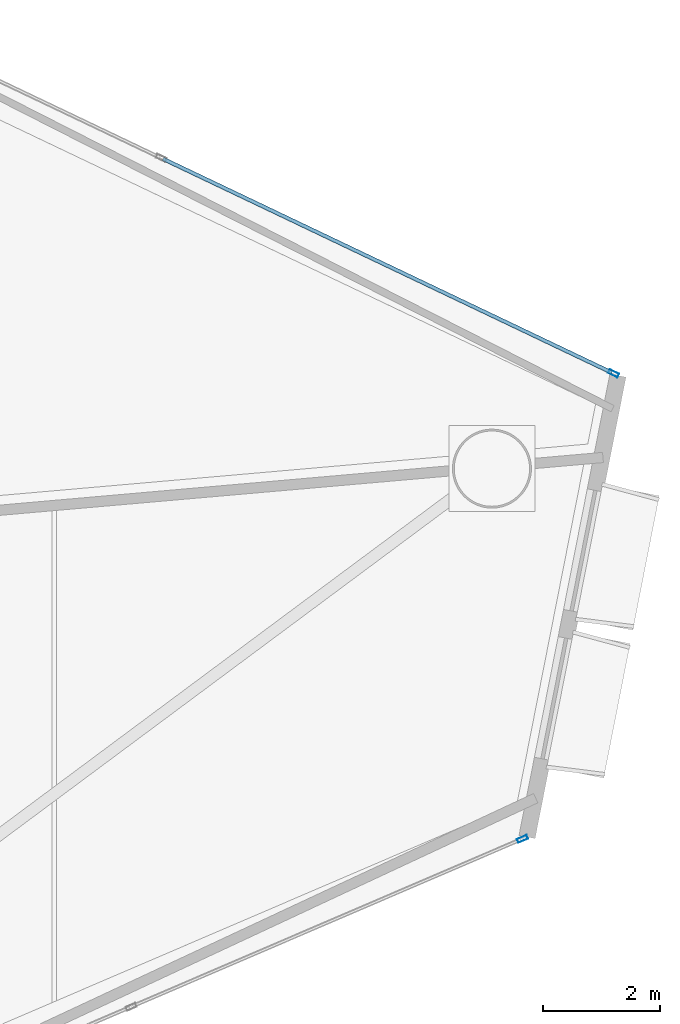
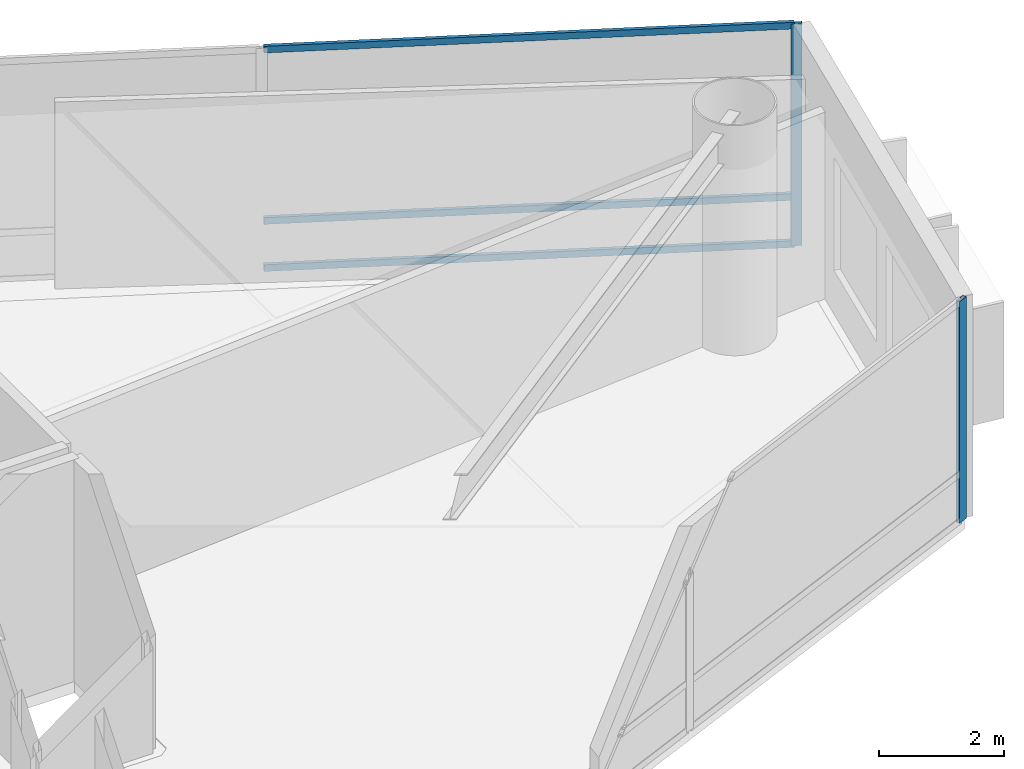
# One storey, part 13 of 21: 5 members, 2 elements without a shape of their own.
"""IFC4 building model written with IfcOpenShell, lengths in metres."""

import ifcopenshell
import ifcopenshell.guid

model = None  # the IFC model being written
_history = None  # IfcOwnerHistory: only IFC2X3 demands one
_inside = {}  # id of a spatial element -> (the spatial element, [elements in it])
_under = {}  # id of a project, library or spatial element -> (it, [spatial elements below it])
_declared = {}  # id of a project -> (the project, [libraries it declares])
_typed = {}  # id of a type object -> (the type object, [elements of that type])
_made_of = {}  # id of a material, layer set ... -> (it, [elements and type objects made of it])


def new_model(schema):
    """Start an empty IFC model of exactly this schema.

    Asked for "IFC4X3", IfcOpenShell would pick the latest addendum, in which some entities
    have other attributes; the version numbers below select the first issue.
    IFC2X3 requires an IfcOwnerHistory on every rooted entity: one is made here for all.
    """
    global model, _history
    if schema == "IFC4X3":
        model = ifcopenshell.file(schema_version=(4, 3, 0, 0))
    else:
        model = ifcopenshell.file(schema=schema)
    _inside.clear()
    _under.clear()
    _declared.clear()
    _typed.clear()
    _made_of.clear()
    _history = None
    if model.schema == "IFC2X3":
        org = make("IfcOrganization", Name="unknown")
        user = make(
            "IfcPersonAndOrganization",
            ThePerson=make("IfcPerson", FamilyName="unknown"),
            TheOrganization=org,
        )
        app = make(
            "IfcApplication",
            ApplicationDeveloper=org,
            Version="unknown",
            ApplicationFullName="unknown",
            ApplicationIdentifier="unknown",
        )
        _history = make(
            "IfcOwnerHistory",
            OwningUser=user,
            OwningApplication=app,
            ChangeAction="ADDED",
            CreationDate=0,
        )
    return model


def make(cls, **values):
    """One entity of the class cls with the attributes given. An attribute that is None is left unset."""
    return model.create_entity(
        cls, **{name: value for name, value in values.items() if value is not None}
    )


def rooted(cls, **values):
    """An entity with a GlobalId (a new one), such as an element, a storey or a relation."""
    return make(cls, GlobalId=ifcopenshell.guid.new(), OwnerHistory=_history, **values)


def si_unit(unit_type, name, prefix=None):
    """IfcSIUnit, for example si_unit("LENGTHUNIT", "METRE", prefix="MILLI")."""
    return make("IfcSIUnit", UnitType=unit_type, Prefix=prefix, Name=name)


def assignment(units):
    """IfcUnitAssignment: the units of a project."""
    return None if units is None else make("IfcUnitAssignment", Units=units)


def point(xyz):
    """IfcCartesianPoint."""
    return None if xyz is None else make("IfcCartesianPoint", Coordinates=xyz)


def direction(xyz):
    """IfcDirection."""
    return None if xyz is None else make("IfcDirection", DirectionRatios=xyz)


def frame(location, z_axis=None, x_axis=None):
    """IfcAxis2Placement3D, a coordinate frame: its origin and axes. An axis left out is left unset."""
    return make(
        "IfcAxis2Placement3D",
        Location=point(location),
        Axis=direction(z_axis),
        RefDirection=direction(x_axis),
    )


def frame_2d(location, x_axis=None):
    """IfcAxis2Placement2D, a coordinate frame in the plane: its origin and x axis."""
    return make(
        "IfcAxis2Placement2D", Location=point(location), RefDirection=direction(x_axis)
    )


def origin():
    """The frame at (0, 0, 0) with its axes left unset."""
    return frame((0.0, 0.0, 0.0))


def origin_2d():
    """The frame at (0, 0) in the plane with its x axis left unset."""
    return frame_2d((0.0, 0.0))


def place(relative_to, where):
    """IfcLocalPlacement: puts the frame where relative to a parent placement (None: the world)."""
    return make(
        "IfcLocalPlacement", PlacementRelTo=relative_to, RelativePlacement=where
    )


def context(
    kind, dimensions, precision=None, world=None, true_north=None, identifier=None
):
    """IfcGeometricRepresentationContext, for example the 3D "Model" context."""
    return make(
        "IfcGeometricRepresentationContext",
        ContextIdentifier=identifier,
        ContextType=kind,
        CoordinateSpaceDimension=dimensions,
        Precision=precision,
        WorldCoordinateSystem=world,
        TrueNorth=true_north,
    )


def subcontext(parent, identifier, kind, view, scale=None):
    """IfcGeometricRepresentationSubContext, for example "Body" below "Model"."""
    return make(
        "IfcGeometricRepresentationSubContext",
        ContextIdentifier=identifier,
        ContextType=kind,
        ParentContext=parent,
        TargetScale=scale,
        TargetView=view,
    )


def project(units=None, contexts=None):
    """IfcProject with its units and contexts."""
    return rooted(
        "IfcProject",
        Name="project",
        RepresentationContexts=contexts,
        UnitsInContext=assignment(units),
    )


def spatial(cls, under=None, at=None, **own):
    """A site, building, storey or space (cls), placed at a placement, below another one or the project."""
    s = rooted(cls, ObjectPlacement=at, **own)
    if under is not None:
        _under.setdefault(under.id(), (under, []))[1].append(s)
    return s


def profile(cls, at=None, kind="AREA", **sizes):
    """A parametric profile (cls). Its sizes go by their IFC names, for example OverallWidth=200.0."""
    return make(cls, ProfileType=kind, Position=at, **sizes)


def hollow_rectangle(**sizes):
    """IfcRectangleHollowProfileDef."""
    return profile("IfcRectangleHollowProfileDef", **sizes)


def extrude(swept, where, along, depth):
    """IfcExtrudedAreaSolid: the profile swept, set in the frame where, extruded along a direction by depth."""
    return make(
        "IfcExtrudedAreaSolid",
        SweptArea=swept,
        Position=where,
        ExtrudedDirection=direction(along),
        Depth=depth,
    )


def shape(context_of_items, identifier, shape_type, items):
    """IfcShapeRepresentation: the items that make up one representation, for example the "Body"."""
    return make(
        "IfcShapeRepresentation",
        ContextOfItems=context_of_items,
        RepresentationIdentifier=identifier,
        RepresentationType=shape_type,
        Items=items,
    )


def material(Name=None, Category=None):
    """IfcMaterial."""
    return make("IfcMaterial", Name=Name, Category=Category)


def layer(
    of_material, thickness, ventilated=None, Name=None, Category=None, Priority=None
):
    """IfcMaterialLayer: one layer of a wall or slab, of a material (None: an air gap)."""
    return make(
        "IfcMaterialLayer",
        Material=of_material,
        LayerThickness=thickness,
        IsVentilated=ventilated,
        Name=Name,
        Category=Category,
        Priority=Priority,
    )


def layer_set(layers, Name=None):
    """IfcMaterialLayerSet."""
    return make("IfcMaterialLayerSet", MaterialLayers=layers, LayerSetName=Name)


def material_profile(
    of_material, cross_section, Name=None, Category=None, Priority=None
):
    """IfcMaterialProfile: a cross section and its material."""
    return make(
        "IfcMaterialProfile",
        Name=Name,
        Material=of_material,
        Profile=cross_section,
        Priority=Priority,
        Category=Category,
    )


def profile_set(profiles, Name=None, composite=None):
    """IfcMaterialProfileSet."""
    return make(
        "IfcMaterialProfileSet",
        Name=Name,
        MaterialProfiles=profiles,
        CompositeProfile=composite,
    )


def made_of(thing, what):
    """Note that an element or type object is made of a material, layer set ...; save() writes the relation."""
    if what is not None:
        _made_of.setdefault(what.id(), (what, []))[1].append(thing)
    return thing


def type_object(cls, material=None, **own):
    """A type object (cls), such as IfcWallType, which elements share."""
    return made_of(rooted(cls, **own), material)


def element(
    cls,
    number,
    at=None,
    inside=None,
    cuts=None,
    type_object=None,
    material=None,
    context=None,
    identifier="Body",
    shape_type=None,
    held_by="IfcProductDefinitionShape",
    body=None,
    shapes=None,
    **own,
):
    """One element of the class cls, such as IfcWall. Its Tag is "e" and its number.

    at: its placement. inside: the storey or other place that contains it. cuts: it is an
    opening in that element (IfcRelVoidsElement). A single representation is given by context,
    identifier, shape_type and body (its items); several are given by shapes. held_by: the class
    of the entity that holds the representations. save() writes the other relations.
    """
    e = rooted(cls, Tag="e%d" % number, ObjectPlacement=at, **own)
    if body is not None:
        shapes = [shape(context, identifier, shape_type, body)]
    if shapes is not None:
        e.Representation = make(held_by, Representations=shapes)
    if inside is not None:
        _inside.setdefault(inside.id(), (inside, []))[1].append(e)
    if cuts is not None:
        rooted(
            "IfcRelVoidsElement", RelatingBuildingElement=cuts, RelatedOpeningElement=e
        )
    if type_object is not None:
        _typed.setdefault(type_object.id(), (type_object, []))[1].append(e)
    return made_of(e, material)


def aggregate(whole, parts):
    """IfcRelAggregates: a whole, such as a stair, and the parts it consists of."""
    return rooted("IfcRelAggregates", RelatingObject=whole, RelatedObjects=parts)


def save(model, path):
    """Write the relations noted so far, then the file.

    IfcRelAggregates (storeys below a building ...), IfcRelContainedInSpatialStructure (elements
    in a storey), IfcRelDefinesByType, IfcRelAssociatesMaterial and IfcRelDeclares: one each for
    every whole, place, type object, material and project.
    """
    for whole, parts in _under.values():
        aggregate(whole, parts)
    for where, things in _inside.values():
        rooted(
            "IfcRelContainedInSpatialStructure",
            RelatedElements=things,
            RelatingStructure=where,
        )
    for kind, things in _typed.values():
        rooted("IfcRelDefinesByType", RelatedObjects=things, RelatingType=kind)
    for what, things in _made_of.values():
        rooted("IfcRelAssociatesMaterial", RelatedObjects=things, RelatingMaterial=what)
    for by, libraries in _declared.values():
        rooted("IfcRelDeclares", RelatingContext=by, RelatedDefinitions=libraries)
    model.write(path)


model = new_model("IFC4")

# Units and contexts
model_context = context("Model", 3, precision=1e-05, world=origin(), true_north=direction((0.0, 1.0)))
body_context = subcontext(model_context, "Body", "Model", "MODEL_VIEW")
ifc_project = project(units=[si_unit("LENGTHUNIT", "METRE"), si_unit("AREAUNIT", "SQUARE_METRE"), si_unit("VOLUMEUNIT", "CUBIC_METRE"), si_unit("PLANEANGLEUNIT", "RADIAN"), si_unit("MASSUNIT", "GRAM", prefix="KILO")], contexts=[model_context])

# Site, building, storey
site_placement = place(None, origin())
site = spatial("IfcSite", under=ifc_project, at=site_placement, CompositionType="ELEMENT")
building_placement = place(site_placement, origin())
building = spatial("IfcBuilding", under=site, at=building_placement, Name="Qianvela Tower", CompositionType="ELEMENT")
storey_placement = place(building_placement, frame((0.0, 0.0, 143.10009765625)))
storey = spatial("IfcBuildingStorey", under=building, at=storey_placement, Name="L36", CompositionType="ELEMENT", Elevation=143.10009765625)

# Curtain wall, member
ifc_material_1 = material(Name="Anodised Architectural Aluminium and Low-E Glass", Category="aluminium")
ifc_layer = layer(ifc_material_1, 0.18994140625)
ifc_layer_set = layer_set([ifc_layer], Name="Anodised Architectural Aluminium and Low-E Glass")
curtain_wall_type = type_object("IfcCurtainWallType", Name="CW-SKYLOBBY", PredefinedType="USERDEFINED", material=ifc_layer_set)
curtain_wall_1_placement = place(storey_placement, origin())
curtain_wall_1 = element("IfcCurtainWall", 1, at=curtain_wall_1_placement, inside=storey, type_object=curtain_wall_type, Name="L36 CW-SKYLOBBY Curtain Wall 02A", ObjectType="CURTAIN_WALL_SYSTEM", PredefinedType="USERDEFINED")
ifc_material_2 = material(Name="Anodised Architectural Aluminium 6063-T6", Category="aluminium")
ifc_material_profile_1 = material_profile(ifc_material_2, hollow_rectangle(XDim=0.070068359375, YDim=0.179931640625, WallThickness=0.0048828125, at=origin_2d()), Name="ALU-MULL-70x180")
ifc_profile_set_1 = profile_set([ifc_material_profile_1], Name="Anodised Architectural Aluminium 6063-T6")
member_type_1 = type_object("IfcMemberType", Name="CW-SKYLOBBY-MULL", PredefinedType="MULLION", material=ifc_profile_set_1)
member_1_placement = place(storey_placement, frame((59.5107421875, 29.244873046875, 0.0), z_axis=(0.0, 0.0, 1.0), x_axis=(-0.430088209354, -0.90278686974, 0.0)))
member_1 = element("IfcMember", 2, at=member_1_placement, type_object=member_type_1, Name="CW-7 mullion 1", PredefinedType="MULLION", context=body_context, shape_type="SweptSolid", body=[
    extrude(hollow_rectangle(XDim=0.070068359375, YDim=0.179931640625, WallThickness=0.0048828125, at=origin_2d()), origin(), (0.0, 0.0, 1.0), 4.31982421875),
])

curtain_wall_2_placement = place(storey_placement, origin())
curtain_wall_2 = element("IfcCurtainWall", 3, at=curtain_wall_2_placement, inside=storey, type_object=curtain_wall_type, Name="L36 CW-SKYLOBBY Curtain Wall 06C", ObjectType="CURTAIN_WALL_SYSTEM", PredefinedType="USERDEFINED")
member_2_placement = place(storey_placement, frame((57.95654296875, 21.291748046875, 0.0), z_axis=(0.0, 0.0, 1.0), x_axis=(-0.394471376508, 0.918908228887, 0.0)))
member_2 = element("IfcMember", 4, at=member_2_placement, type_object=member_type_1, Name="CW-7 mullion 3", PredefinedType="MULLION", context=body_context, shape_type="SweptSolid", body=[
    extrude(hollow_rectangle(XDim=0.070068359375, YDim=0.179931640625, WallThickness=0.0048828125, at=origin_2d()), origin(), (0.0, 0.0, 1.0), 4.31982421875),
])
aggregate(curtain_wall_2, [member_2])

# Member
ifc_material_3 = material(Name="Anodised Architectural Aluminium 6063-T6", Category="aluminium")
ifc_material_profile_2 = material_profile(ifc_material_3, hollow_rectangle(XDim=0.06494140625, YDim=0.1298828125, WallThickness=0.00439453125, at=origin_2d()), Name="ALU-TRAN-65x130")
ifc_profile_set_2 = profile_set([ifc_material_profile_2], Name="Anodised Architectural Aluminium 6063-T6")
member_type_2 = type_object("IfcMemberType", Name="CW-SKYLOBBY-TRAN", PredefinedType="USERDEFINED", material=ifc_profile_set_2)
member_3_placement = place(storey_placement, frame((59.47900390625, 29.260009765625, 0.032470703125), z_axis=(-0.902789797177, 0.430082064394, 0.0), x_axis=(-0.430082064394, -0.902789797177, 0.0)))
member_3 = element("IfcMember", 5, at=member_3_placement, type_object=member_type_2, Name="CW-7 transom 1.1", ObjectType="TRANSOM", PredefinedType="USERDEFINED", context=body_context, shape_type="SweptSolid", body=[
    extrude(hollow_rectangle(XDim=0.06494140625, YDim=0.1298828125, WallThickness=0.00439453125, at=origin_2d()), origin(), (0.0, 0.0, 1.0), 8.48828125),
])

member_4_placement = place(storey_placement, frame((59.47900390625, 29.260009765625, 0.949951171875), z_axis=(-0.902789797177, 0.430082064394, 0.0), x_axis=(-0.430082064394, -0.902789797177, 0.0)))
member_4 = element("IfcMember", 6, at=member_4_placement, type_object=member_type_2, Name="CW-7 transom 1.2", ObjectType="TRANSOM", PredefinedType="USERDEFINED", context=body_context, shape_type="SweptSolid", body=[
    extrude(hollow_rectangle(XDim=0.06494140625, YDim=0.1298828125, WallThickness=0.00439453125, at=origin_2d()), origin(), (0.0, 0.0, 1.0), 8.48828125),
])

member_5_placement = place(storey_placement, frame((59.47900390625, 29.260009765625, 4.287353515625), z_axis=(-0.902789797177, 0.430082064394, 0.0), x_axis=(-0.430082064394, -0.902789797177, 0.0)))
member_5 = element("IfcMember", 7, at=member_5_placement, type_object=member_type_2, Name="CW-7 transom 1.3", ObjectType="TRANSOM", PredefinedType="USERDEFINED", context=body_context, shape_type="SweptSolid", body=[
    extrude(hollow_rectangle(XDim=0.06494140625, YDim=0.1298828125, WallThickness=0.00439453125, at=origin_2d()), origin(), (0.0, 0.0, 1.0), 8.48828125),
])

aggregate(curtain_wall_1, [member_1, member_3, member_4, member_5])

save(model, "model.ifc")
